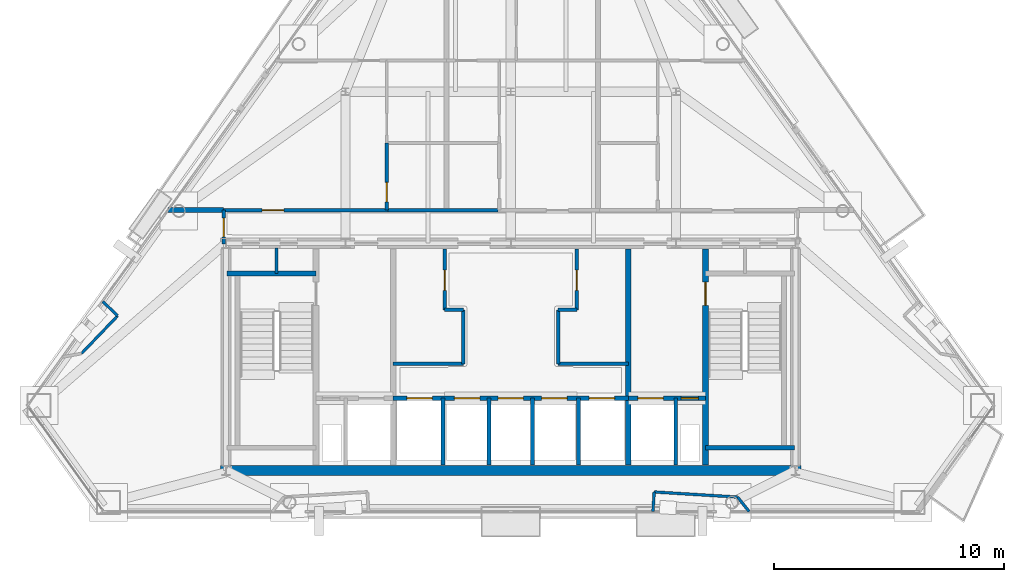
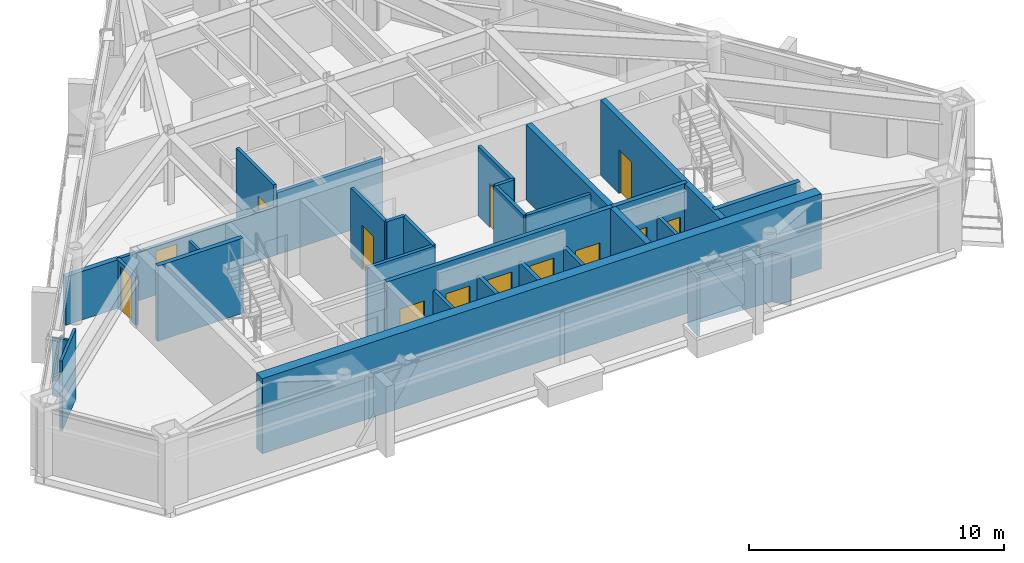
# One storey, part 7 of 11: 31 walls, 13 doors, 13 openings.
"""IFC4 building model written with IfcOpenShell, lengths in metres."""

from ifc_helpers import new_model, si_unit, direction, frame, frame_2d, origin, place, context, subcontext, project, spatial, rectangle, extrude, material, layer, layer_set, type_object, element, fill, save


model = new_model("IFC4")

# Units and contexts
model_context = context("Model", 3, precision=1e-05, world=origin(), true_north=direction((0.0, 1.0)))
body_context = subcontext(model_context, "Body", "Model", "MODEL_VIEW")
ifc_project = project(units=[si_unit("LENGTHUNIT", "METRE"), si_unit("AREAUNIT", "SQUARE_METRE"), si_unit("VOLUMEUNIT", "CUBIC_METRE"), si_unit("PLANEANGLEUNIT", "RADIAN"), si_unit("MASSUNIT", "GRAM", prefix="KILO")], contexts=[model_context])

# Site, building, storey
site_placement = place(None, origin())
site = spatial("IfcSite", under=ifc_project, at=site_placement, CompositionType="ELEMENT")
building_placement = place(site_placement, origin())
building = spatial("IfcBuilding", under=site, at=building_placement, Name="Talgorran Terracotta Tower", CompositionType="ELEMENT")
storey_placement = place(building_placement, frame((0.0, 0.0, 214.5)))
storey = spatial("IfcBuildingStorey", under=building, at=storey_placement, Name="L56", CompositionType="ELEMENT", Elevation=214.5)

# Walls
ifc_material_1 = material(Name="Concrete C50/60", Category="concrete")
ifc_layer_1 = layer(ifc_material_1, 0.199951171875, Name="WT_CORE_200")
ifc_layer_set_1 = layer_set([ifc_layer_1], Name="Concrete C50/60")
wall_type_1 = type_object("IfcWallType", Name="WT_CORE_200", PredefinedType="SOLIDWALL", material=ifc_layer_set_1)
for number, where, z_axis, x_axis, name in (
    (1, (-12.35009765625, -5.52001953125, 0.0), (0.0, 0.0, 1.0), (1.0, 0.0, 0.0), "WL-L56-CW-ST1-N"),
    (2, (8.47998046875, -13.10009765625, 0.0), (0.0, 0.0, 1.0), (1.0, 0.0, 0.0), "WL-L56-CW-ST2-S"),
):
    element("IfcWall", number, at=place(storey_placement, frame(where, z_axis=z_axis, x_axis=x_axis)), inside=storey, type_object=wall_type_1, Name=name, PredefinedType="SOLIDWALL", context=body_context, shape_type="SweptSolid", body=[
        extrude(rectangle(XDim=3.8701171875, YDim=0.199951171875, at=frame_2d((1.93505859375, 0.0))), origin(), (0.0, 0.0, 1.0), 3.60009765625),
    ])

# Wall, openings, doors
wall_1_placement = place(storey_placement, frame((-5.1201171875, -10.949951171875, 0.0), z_axis=(0.0, 0.0, 1.0), x_axis=(1.0, 0.0, 0.0)))
wall_1 = element("IfcWall", 3, at=wall_1_placement, inside=storey, type_object=wall_type_1, Name="WL-L56-CW-H-SBC", PredefinedType="SOLIDWALL", context=body_context, shape_type="SweptSolid", body=[
    extrude(rectangle(XDim=10.240234375, YDim=0.199951171875, at=frame_2d((5.1201171875, 0.0))), origin(), (0.0, 0.0, 1.0), 3.60009765625),
])
opening_1_placement = place(wall_1_placement, frame((0.60009765625, 0.0, 0.0)))
opening_1 = element("IfcOpeningElement", 4, at=opening_1_placement, cuts=wall_1, Name="Opening LD-OB1", PredefinedType="OPENING", context=body_context, shape_type="SweptSolid", body=[
    extrude(rectangle(XDim=1.10609765625, YDim=2.10409765625, at=frame_2d((0.550048828125, 1.052001953125))), frame((0.0, 0.10986328125, 0.0), z_axis=(0.0, -1.0, 0.0), x_axis=(1.0, 0.0, 0.0)), (0.0, 0.0, 1.0), 0.219970703125),
])
opening_2_placement = place(wall_1_placement, frame((2.669921875, 0.0, 0.0)))
opening_2 = element("IfcOpeningElement", 5, at=opening_2_placement, cuts=wall_1, Name="Opening LD-PLH1", PredefinedType="OPENING", context=body_context, shape_type="SweptSolid", body=[
    extrude(rectangle(XDim=1.10609765625, YDim=2.10409765625, at=frame_2d((0.550048828125, 1.052001953125))), frame((0.0, 0.10986328125, 0.0), z_axis=(0.0, -1.0, 0.0), x_axis=(1.0, 0.0, 0.0)), (0.0, 0.0, 1.0), 0.219970703125),
])
opening_3_placement = place(wall_1_placement, frame((4.570068359375, 0.0, 0.0)))
opening_3 = element("IfcOpeningElement", 6, at=opening_3_placement, cuts=wall_1, Name="Opening LD-PLH2", PredefinedType="OPENING", context=body_context, shape_type="SweptSolid", body=[
    extrude(rectangle(XDim=1.10609765625, YDim=2.10409765625, at=frame_2d((0.550048828125, 1.052001953125))), frame((0.0, 0.10986328125, 0.0), z_axis=(0.0, -1.0, 0.0), x_axis=(1.0, 0.0, 0.0)), (0.0, 0.0, 1.0), 0.219970703125),
])
opening_4_placement = place(wall_1_placement, frame((6.469970703125, 0.0, 0.0)))
opening_4 = element("IfcOpeningElement", 7, at=opening_4_placement, cuts=wall_1, Name="Opening LD-PLH3", PredefinedType="OPENING", context=body_context, shape_type="SweptSolid", body=[
    extrude(rectangle(XDim=1.10609765625, YDim=2.10409765625, at=frame_2d((0.550048828125, 1.052001953125))), frame((0.0, 0.10986328125, 0.0), z_axis=(0.0, -1.0, 0.0), x_axis=(1.0, 0.0, 0.0)), (0.0, 0.0, 1.0), 0.219970703125),
])
opening_5_placement = place(wall_1_placement, frame((8.5400390625, 0.0, 0.0)))
opening_5 = element("IfcOpeningElement", 8, at=opening_5_placement, cuts=wall_1, Name="Opening LD-SVL1", PredefinedType="OPENING", context=body_context, shape_type="SweptSolid", body=[
    extrude(rectangle(XDim=1.10609765625, YDim=2.10409765625, at=frame_2d((0.550048828125, 1.052001953125))), frame((0.0, 0.10986328125, 0.0), z_axis=(0.0, -1.0, 0.0), x_axis=(1.0, 0.0, 0.0)), (0.0, 0.0, 1.0), 0.219970703125),
])
ifc_material_2 = material(Name="Brushed Stainless Steel Grade 304", Category="steel")
door_type_1 = type_object("IfcDoorType", Name="DT_LIFT_LD1100", OperationType="DOUBLE_DOOR_SLIDING", PredefinedType="DOOR", material=ifc_material_2)
door_1_placement = place(opening_1_placement, origin())
door_1 = element("IfcDoor", 9, at=door_1_placement, inside=storey, type_object=door_type_1, Name="L56 Lift Landing Door LD-OB1", OperationType="DOUBLE_DOOR_SLIDING", OverallHeight=2.10009765625, OverallWidth=1.10009765625, PredefinedType="DOOR", context=body_context, shape_type="SweptSolid", body=[
    extrude(rectangle(XDim=1.10009765625, YDim=2.10009765625, at=frame_2d((0.550048828125, 1.050048828125))), frame((0.0, 0.02490234375, 0.0), z_axis=(0.0, -1.0, 0.0), x_axis=(1.0, 0.0, 0.0)), (0.0, 0.0, 1.0), 0.050048828125),
])
fill(opening_1, door_1)
door_2_placement = place(opening_2_placement, origin())
door_2 = element("IfcDoor", 10, at=door_2_placement, inside=storey, type_object=door_type_1, Name="L56 Lift Landing Door LD-PLH1", OperationType="DOUBLE_DOOR_SLIDING", OverallHeight=2.10009765625, OverallWidth=1.10009765625, PredefinedType="DOOR", context=body_context, shape_type="SweptSolid", body=[
    extrude(rectangle(XDim=1.10009765625, YDim=2.10009765625, at=frame_2d((0.550048828125, 1.050048828125))), frame((0.0, 0.02490234375, 0.0), z_axis=(0.0, -1.0, 0.0), x_axis=(1.0, 0.0, 0.0)), (0.0, 0.0, 1.0), 0.050048828125),
])
fill(opening_2, door_2)
door_3_placement = place(opening_3_placement, origin())
door_3 = element("IfcDoor", 11, at=door_3_placement, inside=storey, type_object=door_type_1, Name="L56 Lift Landing Door LD-PLH2", OperationType="DOUBLE_DOOR_SLIDING", OverallHeight=2.10009765625, OverallWidth=1.10009765625, PredefinedType="DOOR", context=body_context, shape_type="SweptSolid", body=[
    extrude(rectangle(XDim=1.10009765625, YDim=2.10009765625, at=frame_2d((0.550048828125, 1.050048828125))), frame((0.0, 0.02490234375, 0.0), z_axis=(0.0, -1.0, 0.0), x_axis=(1.0, 0.0, 0.0)), (0.0, 0.0, 1.0), 0.050048828125),
])
fill(opening_3, door_3)
door_4_placement = place(opening_4_placement, origin())
door_4 = element("IfcDoor", 12, at=door_4_placement, inside=storey, type_object=door_type_1, Name="L56 Lift Landing Door LD-PLH3", OperationType="DOUBLE_DOOR_SLIDING", OverallHeight=2.10009765625, OverallWidth=1.10009765625, PredefinedType="DOOR", context=body_context, shape_type="SweptSolid", body=[
    extrude(rectangle(XDim=1.10009765625, YDim=2.10009765625, at=frame_2d((0.550048828125, 1.050048828125))), frame((0.0, 0.02490234375, 0.0), z_axis=(0.0, -1.0, 0.0), x_axis=(1.0, 0.0, 0.0)), (0.0, 0.0, 1.0), 0.050048828125),
])
fill(opening_4, door_4)
door_5_placement = place(opening_5_placement, origin())
door_5 = element("IfcDoor", 13, at=door_5_placement, inside=storey, type_object=door_type_1, Name="L56 Lift Landing Door LD-SVL1", OperationType="DOUBLE_DOOR_SLIDING", OverallHeight=2.10009765625, OverallWidth=1.10009765625, PredefinedType="DOOR", context=body_context, shape_type="SweptSolid", body=[
    extrude(rectangle(XDim=1.10009765625, YDim=2.10009765625, at=frame_2d((0.550048828125, 1.050048828125))), frame((0.0, 0.02490234375, 0.0), z_axis=(0.0, -1.0, 0.0), x_axis=(1.0, 0.0, 0.0)), (0.0, 0.0, 1.0), 0.050048828125),
])
fill(opening_5, door_5)

wall_2_placement = place(storey_placement, frame((5.1201171875, -10.949951171875, 0.0), z_axis=(0.0, 0.0, 1.0), x_axis=(1.0, 0.0, 0.0)))
wall_2 = element("IfcWall", 14, at=wall_2_placement, inside=storey, type_object=wall_type_1, Name="WL-L56-CW-H-SBE", PredefinedType="SOLIDWALL", context=body_context, shape_type="SweptSolid", body=[
    extrude(rectangle(XDim=3.35986328125, YDim=0.199951171875, at=frame_2d((1.679931640625, 0.0))), origin(), (0.0, 0.0, 1.0), 3.60009765625),
])
opening_6_placement = place(wall_2_placement, frame((0.419921875, 0.0, 0.0)))
opening_6 = element("IfcOpeningElement", 15, at=opening_6_placement, cuts=wall_2, Name="Opening LD-FFL2", PredefinedType="OPENING", context=body_context, shape_type="SweptSolid", body=[
    extrude(rectangle(XDim=1.10609765625, YDim=2.10409765625, at=frame_2d((0.550048828125, 1.052001953125))), frame((0.0, 0.10986328125, 0.0), z_axis=(0.0, -1.0, 0.0), x_axis=(1.0, 0.0, 0.0)), (0.0, 0.0, 1.0), 0.219970703125),
])
opening_7_placement = place(wall_2_placement, frame((2.300048828125, 0.0, 0.0)))
opening_7 = element("IfcOpeningElement", 16, at=opening_7_placement, cuts=wall_2, Name="Opening DR-RSE", PredefinedType="OPENING", context=body_context, shape_type="SweptSolid", body=[
    extrude(rectangle(XDim=0.756, YDim=2.054048828125, at=frame_2d((0.375, 1.027099609375))), frame((0.0, 0.10986328125, 0.0), z_axis=(0.0, -1.0, 0.0), x_axis=(1.0, 0.0, 0.0)), (0.0, 0.0, 1.0), 0.219970703125),
])
door_6_placement = place(opening_6_placement, origin())
door_6 = element("IfcDoor", 17, at=door_6_placement, inside=storey, type_object=door_type_1, Name="L56 Lift Landing Door LD-FFL2", OperationType="DOUBLE_DOOR_SLIDING", OverallHeight=2.10009765625, OverallWidth=1.10009765625, PredefinedType="DOOR", context=body_context, shape_type="SweptSolid", body=[
    extrude(rectangle(XDim=1.10009765625, YDim=2.10009765625, at=frame_2d((0.550048828125, 1.050048828125))), frame((0.0, 0.02490234375, 0.0), z_axis=(0.0, -1.0, 0.0), x_axis=(1.0, 0.0, 0.0)), (0.0, 0.0, 1.0), 0.050048828125),
])
fill(opening_6, door_6)
ifc_material_3 = material(Name="Fire-Rated Pressed Steel", Category="steel")
door_type_2 = type_object("IfcDoorType", Name="DT_RISER_750", OperationType="NOTDEFINED", PredefinedType="DOOR", material=ifc_material_3)
door_7_placement = place(opening_7_placement, origin())
door_7 = element("IfcDoor", 18, at=door_7_placement, inside=storey, type_object=door_type_2, Name="DR-RSE", OperationType="SINGLE_SWING_RIGHT", OverallHeight=2.050048828125, OverallWidth=0.75, PredefinedType="DOOR", context=body_context, shape_type="SweptSolid", body=[
    extrude(rectangle(XDim=0.75, YDim=2.050048828125, at=frame_2d((0.375, 1.02490234375))), frame((0.0, 0.02490234375, 0.0), z_axis=(0.0, -1.0, 0.0), x_axis=(1.0, 0.0, 0.0)), (0.0, 0.0, 1.0), 0.050048828125),
])
fill(opening_7, door_7)

# Wall, opening, door
ifc_layer_2 = layer(ifc_material_1, 0.25, Name="WT_CORE_250")
ifc_layer_set_2 = layer_set([ifc_layer_2], Name="Concrete C50/60")
wall_type_2 = type_object("IfcWallType", Name="WT_CORE_250", PredefinedType="SHEAR", material=ifc_layer_set_2)
wall_3_placement = place(storey_placement, frame((8.47998046875, -13.85009765625, 0.0), z_axis=(0.0, 0.0, 1.0), x_axis=(0.0, 1.0, 0.0)))
wall_3 = element("IfcWall", 19, at=wall_3_placement, inside=storey, type_object=wall_type_2, Name="WL-L56-CW-V-E1", PredefinedType="SHEAR", context=body_context, shape_type="SweptSolid", body=[
    extrude(rectangle(XDim=9.400146484375, YDim=0.25, at=frame_2d((4.7001953125, 0.0))), origin(), (0.0, 0.0, 1.0), 3.60009765625),
])
opening_8_placement = place(wall_3_placement, frame((6.949951171875, 0.0, 0.0)))
opening_8 = element("IfcOpeningElement", 20, at=opening_8_placement, cuts=wall_3, Name="Opening DR-ST02", PredefinedType="OPENING", context=body_context, shape_type="SweptSolid", body=[
    extrude(rectangle(XDim=1.006, YDim=2.10409765625, at=frame_2d((0.5, 1.052001953125))), frame((0.0, 0.135009765625, 0.0), z_axis=(0.0, -1.0, 0.0), x_axis=(1.0, 0.0, 0.0)), (0.0, 0.0, 1.0), 0.27001953125),
])
door_type_3 = type_object("IfcDoorType", Name="DT_FIRE_1000", OperationType="NOTDEFINED", PredefinedType="DOOR", material=ifc_material_3)
door_8_placement = place(opening_8_placement, origin())
door_8 = element("IfcDoor", 21, at=door_8_placement, inside=storey, type_object=door_type_3, Name="DR-ST02", OperationType="SINGLE_SWING_RIGHT", OverallHeight=2.10009765625, OverallWidth=1.0, PredefinedType="DOOR", context=body_context, shape_type="SweptSolid", body=[
    extrude(rectangle(XDim=1.0, YDim=2.10009765625, at=frame_2d((0.5, 1.050048828125))), frame((0.0, 0.02490234375, 0.0), z_axis=(0.0, -1.0, 0.0), x_axis=(1.0, 0.0, 0.0)), (0.0, 0.0, 1.0), 0.050048828125),
])
fill(opening_8, door_8)

# Walls
wall_4_placement = place(storey_placement, frame((5.1201171875, -13.85009765625, 0.0), z_axis=(0.0, 0.0, 1.0), x_axis=(0.0, 1.0, 0.0)))
element("IfcWall", 22, at=wall_4_placement, inside=storey, type_object=wall_type_2, Name="WL-L56-CW-V-E2", PredefinedType="SHEAR", context=body_context, shape_type="SweptSolid", body=[
    extrude(rectangle(XDim=9.400146484375, YDim=0.25, at=frame_2d((4.7001953125, 0.0))), origin(), (0.0, 0.0, 1.0), 3.60009765625),
])
ifc_material_4 = material(Name="Concrete C65/80", Category="concrete")
ifc_layer_3 = layer(ifc_material_4, 0.449951171875, Name="WT_CORE_EXT")
ifc_layer_set_3 = layer_set([ifc_layer_3], Name="Concrete C65/80")
wall_type_3 = type_object("IfcWallType", Name="WT_CORE_EXT", PredefinedType="SHEAR", material=ifc_layer_set_3)
wall_5_placement = place(storey_placement, frame((-12.64990234375, -14.10009765625, 0.0), z_axis=(0.0, 0.0, 1.0), x_axis=(1.0, 0.0, 0.0)))
element("IfcWall", 23, at=wall_5_placement, inside=storey, type_object=wall_type_3, Name="WL-L56-CW-OUT-S", PredefinedType="SHEAR", context=body_context, shape_type="SweptSolid", body=[
    extrude(rectangle(XDim=25.2998046875, YDim=0.449951171875, at=frame_2d((12.64990234375, 0.0))), origin(), (0.0, 0.0, 1.0), 3.60009765625),
])
ifc_material_5 = material(Name="Fire-Rated Steel Stud Plasterboard", Category="steel")
ifc_layer_4 = layer(ifc_material_5, 0.14990234375, Name="WT_FIRE_150")
ifc_layer_set_4 = layer_set([ifc_layer_4], Name="Fire-Rated Steel Stud Plasterboard")
wall_type_4 = type_object("IfcWallType", Name="WT_FIRE_150", PredefinedType="PARTITIONING", material=ifc_layer_set_4)
wall_6_placement = place(storey_placement, frame((-5.1201171875, -9.449951171875, 0.0), z_axis=(0.0, 0.0, 1.0), x_axis=(1.0, 0.0, 0.0)))
element("IfcWall", 24, at=wall_6_placement, inside=storey, type_object=wall_type_4, Name="WL-L56-CW-H-W4N", PredefinedType="PARTITIONING", context=body_context, shape_type="SweptSolid", body=[
    extrude(rectangle(XDim=3.06005859375, YDim=0.14990234375, at=frame_2d((1.530029296875, 0.0))), origin(), (0.0, 0.0, 1.0), 3.344970703125),
])
wall_7_placement = place(storey_placement, frame((-2.06005859375, -9.449951171875, 0.0), z_axis=(0.0, 0.0, 1.0), x_axis=(0.0, 1.0, 0.0)))
element("IfcWall", 25, at=wall_7_placement, inside=storey, type_object=wall_type_4, Name="WL-L56-CW-V-W3S2", PredefinedType="PARTITIONING", context=body_context, shape_type="SweptSolid", body=[
    extrude(rectangle(XDim=2.349853515625, YDim=0.14990234375, at=frame_2d((1.1748046875, 0.0))), origin(), (0.0, 0.0, 1.0), 3.344970703125),
])
wall_8_placement = place(storey_placement, frame((-2.8798828125, -7.10009765625, 0.0), z_axis=(0.0, 0.0, 1.0), x_axis=(1.0, 0.0, 0.0)))
element("IfcWall", 26, at=wall_8_placement, inside=storey, type_object=wall_type_4, Name="WL-L56-CW-H-W3M2", PredefinedType="PARTITIONING", context=body_context, shape_type="SweptSolid", body=[
    extrude(rectangle(XDim=0.81982421875, YDim=0.14990234375, at=frame_2d((0.409912109375, 0.0))), origin(), (0.0, 0.0, 1.0), 3.344970703125),
])

# Wall, opening, door
wall_9_placement = place(storey_placement, frame((-2.8798828125, -7.10009765625, 0.0), z_axis=(0.0, 0.0, 1.0), x_axis=(0.0, 1.0, 0.0)))
wall_9 = element("IfcWall", 27, at=wall_9_placement, inside=storey, type_object=wall_type_4, Name="WL-L56-CW-V-W3N", PredefinedType="PARTITIONING", context=body_context, shape_type="SweptSolid", body=[
    extrude(rectangle(XDim=2.650146484375, YDim=0.14990234375, at=frame_2d((1.3251953125, 0.0))), origin(), (0.0, 0.0, 1.0), 3.344970703125),
])
opening_9_placement = place(wall_9_placement, frame((0.85009765625, 0.0, 0.0)))
opening_9 = element("IfcOpeningElement", 28, at=opening_9_placement, cuts=wall_9, Name="Opening DR-FRPLL-B", PredefinedType="OPENING", context=body_context, shape_type="SweptSolid", body=[
    extrude(rectangle(XDim=0.8858828125, YDim=2.10409765625, at=frame_2d((0.43994140625, 1.052001953125))), frame((0.0, 0.0849609375, 0.0), z_axis=(0.0, -1.0, 0.0), x_axis=(1.0, 0.0, 0.0)), (0.0, 0.0, 1.0), 0.169921875),
])
ifc_material_6 = material(Name="Solid-Core Painted Timber", Category="wood")
door_type_4 = type_object("IfcDoorType", Name="DT_INT_880", OperationType="NOTDEFINED", PredefinedType="DOOR", material=ifc_material_6)
door_9_placement = place(opening_9_placement, origin())
door_9 = element("IfcDoor", 29, at=door_9_placement, inside=storey, type_object=door_type_4, Name="DR-FRPLL-B", OperationType="SINGLE_SWING_LEFT", OverallHeight=2.10009765625, OverallWidth=0.8798828125, PredefinedType="DOOR", context=body_context, shape_type="SweptSolid", body=[
    extrude(rectangle(XDim=0.8798828125, YDim=2.10009765625, at=frame_2d((0.43994140625, 1.050048828125))), frame((0.0, 0.02490234375, 0.0), z_axis=(0.0, -1.0, 0.0), x_axis=(1.0, 0.0, 0.0)), (0.0, 0.0, 1.0), 0.050048828125),
])
fill(opening_9, door_9)

# Walls
wall_10_placement = place(storey_placement, frame((2.06005859375, -9.449951171875, 0.0), z_axis=(0.0, 0.0, 1.0), x_axis=(1.0, 0.0, 0.0)))
element("IfcWall", 30, at=wall_10_placement, inside=storey, type_object=wall_type_4, Name="WL-L56-CW-H-E4N", PredefinedType="PARTITIONING", context=body_context, shape_type="SweptSolid", body=[
    extrude(rectangle(XDim=3.06005859375, YDim=0.14990234375, at=frame_2d((1.530029296875, 0.0))), origin(), (0.0, 0.0, 1.0), 3.344970703125),
])
wall_11_placement = place(storey_placement, frame((2.06005859375, -9.449951171875, 0.0), z_axis=(0.0, 0.0, 1.0), x_axis=(0.0, 1.0, 0.0)))
element("IfcWall", 31, at=wall_11_placement, inside=storey, type_object=wall_type_4, Name="WL-L56-CW-V-E3S2", PredefinedType="PARTITIONING", context=body_context, shape_type="SweptSolid", body=[
    extrude(rectangle(XDim=2.349853515625, YDim=0.14990234375, at=frame_2d((1.1748046875, 0.0))), origin(), (0.0, 0.0, 1.0), 3.344970703125),
])
wall_12_placement = place(storey_placement, frame((2.06005859375, -7.10009765625, 0.0), z_axis=(0.0, 0.0, 1.0), x_axis=(1.0, 0.0, 0.0)))
element("IfcWall", 32, at=wall_12_placement, inside=storey, type_object=wall_type_4, Name="WL-L56-CW-H-E3M2", PredefinedType="PARTITIONING", context=body_context, shape_type="SweptSolid", body=[
    extrude(rectangle(XDim=0.81982421875, YDim=0.14990234375, at=frame_2d((0.409912109375, 0.0))), origin(), (0.0, 0.0, 1.0), 3.344970703125),
])

# Wall, opening, door
wall_13_placement = place(storey_placement, frame((2.8798828125, -7.10009765625, 0.0), z_axis=(0.0, 0.0, 1.0), x_axis=(0.0, 1.0, 0.0)))
wall_13 = element("IfcWall", 33, at=wall_13_placement, inside=storey, type_object=wall_type_4, Name="WL-L56-CW-V-E3N", PredefinedType="PARTITIONING", context=body_context, shape_type="SweptSolid", body=[
    extrude(rectangle(XDim=2.650146484375, YDim=0.14990234375, at=frame_2d((1.3251953125, 0.0))), origin(), (0.0, 0.0, 1.0), 3.344970703125),
])
opening_10_placement = place(wall_13_placement, frame((0.85009765625, 0.0, 0.0)))
opening_10 = element("IfcOpeningElement", 34, at=opening_10_placement, cuts=wall_13, Name="Opening DR-FRPLM-B", PredefinedType="OPENING", context=body_context, shape_type="SweptSolid", body=[
    extrude(rectangle(XDim=0.8858828125, YDim=2.10409765625, at=frame_2d((0.43994140625, 1.052001953125))), frame((0.0, 0.0849609375, 0.0), z_axis=(0.0, -1.0, 0.0), x_axis=(1.0, 0.0, 0.0)), (0.0, 0.0, 1.0), 0.169921875),
])
door_10_placement = place(opening_10_placement, origin())
door_10 = element("IfcDoor", 35, at=door_10_placement, inside=storey, type_object=door_type_4, Name="DR-FRPLM-B", OperationType="SINGLE_SWING_RIGHT", OverallHeight=2.10009765625, OverallWidth=0.8798828125, PredefinedType="DOOR", context=body_context, shape_type="SweptSolid", body=[
    extrude(rectangle(XDim=0.8798828125, YDim=2.10009765625, at=frame_2d((0.43994140625, 1.050048828125))), frame((0.0, 0.02490234375, 0.0), z_axis=(0.0, -1.0, 0.0), x_axis=(1.0, 0.0, 0.0)), (0.0, 0.0, 1.0), 0.050048828125),
])
fill(opening_10, door_10)

wall_14_placement = place(storey_placement, frame((-12.5, -2.760009765625, 0.0), z_axis=(0.0, 0.0, 1.0), x_axis=(1.0, 0.0, 0.0)))
wall_14 = element("IfcWall", 36, at=wall_14_placement, inside=storey, type_object=wall_type_4, Name="WL-L56-W-L56-R04", PredefinedType="PARTITIONING", context=body_context, shape_type="SweptSolid", body=[
    extrude(rectangle(XDim=7.159912109375, YDim=0.14990234375, at=frame_2d((3.580078125, 0.0))), origin(), (0.0, 0.0, 1.0), 2.320068359375),
])
opening_11_placement = place(wall_14_placement, frame((1.672119140625, 0.0, 0.0)))
opening_11 = element("IfcOpeningElement", 37, at=opening_11_placement, cuts=wall_14, Name="Opening DR-L56-R05", PredefinedType="OPENING", context=body_context, shape_type="SweptSolid", body=[
    extrude(rectangle(XDim=0.955951171875, YDim=2.10409765625, at=frame_2d((0.47509765625, 1.052001953125))), frame((0.0, 0.0849609375, 0.0), z_axis=(0.0, -1.0, 0.0), x_axis=(1.0, 0.0, 0.0)), (0.0, 0.0, 1.0), 0.169921875),
])
ifc_material_7 = material(Name="Fire-Rated Timber Core", Category="wood")
door_type_5 = type_object("IfcDoorType", Name="DT_FIRE_950", OperationType="NOTDEFINED", PredefinedType="DOOR", material=ifc_material_7)
door_11_placement = place(opening_11_placement, origin())
door_11 = element("IfcDoor", 38, at=door_11_placement, inside=storey, type_object=door_type_5, Name="DR-L56-R05", OperationType="SINGLE_SWING_LEFT", OverallHeight=2.10009765625, OverallWidth=0.949951171875, PredefinedType="DOOR", context=body_context, shape_type="SweptSolid", body=[
    extrude(rectangle(XDim=0.949951171875, YDim=2.10009765625, at=frame_2d((0.47509765625, 1.050048828125))), frame((0.0, 0.02490234375, 0.0), z_axis=(0.0, -1.0, 0.0), x_axis=(1.0, 0.0, 0.0)), (0.0, 0.0, 1.0), 0.050048828125),
])
fill(opening_11, door_11)

# Wall
wall_15_placement = place(storey_placement, frame((-5.337890625, -2.760009765625, 0.0), z_axis=(0.0, 0.0, 1.0), x_axis=(1.0, 0.0, 0.0)))
element("IfcWall", 39, at=wall_15_placement, inside=storey, type_object=wall_type_4, Name="WL-L56-W-L56-R03", PredefinedType="PARTITIONING", context=body_context, shape_type="SweptSolid", body=[
    extrude(rectangle(XDim=4.77587890625, YDim=0.14990234375, at=frame_2d((2.387939453125, 0.0))), origin(), (0.0, 0.0, 1.0), 2.96435546875),
])

# Wall, opening, door
wall_16_placement = place(storey_placement, frame((-12.5, -4.239990234375, 0.0), z_axis=(0.0, 0.0, 1.0), x_axis=(0.0, 1.0, 0.0)))
wall_16 = element("IfcWall", 40, at=wall_16_placement, inside=storey, type_object=wall_type_4, Name="WL-L56-W-L56-R01", PredefinedType="PARTITIONING", context=body_context, shape_type="SweptSolid", body=[
    extrude(rectangle(XDim=1.47998046875, YDim=0.14990234375, at=frame_2d((0.739990234375, 0.0))), origin(), (0.0, 0.0, 1.0), 2.320068359375),
])
opening_12_placement = place(wall_16_placement, frame((0.31494140625, 0.0, 0.0)))
opening_12 = element("IfcOpeningElement", 41, at=opening_12_placement, cuts=wall_16, Name="Opening DR-L56-R01", PredefinedType="OPENING", context=body_context, shape_type="SweptSolid", body=[
    extrude(rectangle(XDim=0.826068359375, YDim=2.10409765625, at=frame_2d((0.41015625, 1.052001953125))), frame((0.0, 0.0849609375, 0.0), z_axis=(0.0, -1.0, 0.0), x_axis=(1.0, 0.0, 0.0)), (0.0, 0.0, 1.0), 0.169921875),
])
ifc_material_8 = material(Name="Moisture-Resistant Solid Timber", Category="wood")
door_type_6 = type_object("IfcDoorType", Name="DT_INT_820", OperationType="NOTDEFINED", PredefinedType="DOOR", material=ifc_material_8)
door_12_placement = place(opening_12_placement, origin())
door_12 = element("IfcDoor", 42, at=door_12_placement, inside=storey, type_object=door_type_6, Name="DR-L56-R01", OperationType="SINGLE_SWING_LEFT", OverallHeight=2.10009765625, OverallWidth=0.820068359375, PredefinedType="DOOR", context=body_context, shape_type="SweptSolid", body=[
    extrude(rectangle(XDim=0.820068359375, YDim=2.10009765625, at=frame_2d((0.41015625, 1.050048828125))), frame((0.0, 0.02490234375, 0.0), z_axis=(0.0, -1.0, 0.0), x_axis=(1.0, 0.0, 0.0)), (0.0, 0.0, 1.0), 0.050048828125),
])
fill(opening_12, door_12)

# Walls
ifc_material_9 = material(Name="Acoustic Masonry and Plasterboard", Category="masonry")
ifc_layer_5 = layer(ifc_material_9, 0.219970703125, Name="WT_PARTY_220")
ifc_layer_set_5 = layer_set([ifc_layer_5], Name="Acoustic Masonry and Plasterboard")
wall_type_5 = type_object("IfcWallType", Name="WT_PARTY_220", PredefinedType="PARTITIONING", material=ifc_layer_set_5)
wall_17_placement = place(storey_placement, frame((-14.926025390625, -2.760009765625, 0.0), z_axis=(0.0, 0.0, 1.0), x_axis=(1.0, 0.0, 0.0)))
element("IfcWall", 43, at=wall_17_placement, inside=storey, type_object=wall_type_5, Name="WL-L56-W-L56-R09", PredefinedType="PARTITIONING", context=body_context, shape_type="SweptSolid", body=[
    extrude(rectangle(XDim=2.426025390625, YDim=0.219970703125, at=frame_2d((1.212890625, 0.0))), origin(), (0.0, 0.0, 1.0), 2.320068359375),
])
ifc_material_10 = material(Name="Insulated Steel Stud Plasterboard", Category="steel")
ifc_layer_6 = layer(ifc_material_10, 0.1201171875, Name="WT_PART_120")
ifc_layer_set_6 = layer_set([ifc_layer_6], Name="Insulated Steel Stud Plasterboard")
wall_type_6 = type_object("IfcWallType", Name="WT_PART_120", PredefinedType="PARTITIONING", material=ifc_layer_set_6)
wall_18_placement = place(storey_placement, frame((-10.199951171875, -5.52001953125, 0.0), z_axis=(0.0, 0.0, 1.0), x_axis=(0.0, 1.0, 0.0)))
element("IfcWall", 44, at=wall_18_placement, inside=storey, type_object=wall_type_6, Name="WL-L56-CW-CSW-DIV", PredefinedType="PARTITIONING", context=body_context, shape_type="SweptSolid", body=[
    extrude(rectangle(XDim=1.1201171875, YDim=0.1201171875, at=frame_2d((0.56005859375, 0.0))), origin(), (0.0, 0.0, 1.0), 3.344970703125),
])
wall_19_placement = place(storey_placement, frame((6.24609375, -15.0341796875, 0.0), z_axis=(0.0, 0.0, 1.0), x_axis=(0.998123679848, -0.061230055748, 0.0)))
element("IfcWall", 45, at=wall_19_placement, inside=storey, type_object=wall_type_6, Name="WL-L56-BW-L56-04", PredefinedType="PARTITIONING", context=body_context, shape_type="SweptSolid", body=[
    extrude(rectangle(XDim=3.640380859375, YDim=0.1201171875, at=frame_2d((1.8203125, 0.0))), origin(), (0.0, 0.0, 1.0), 2.320068359375),
])
wall_20_placement = place(storey_placement, frame((-17.1201171875, -7.36181640625, 0.0), z_axis=(0.0, 0.0, 1.0), x_axis=(-0.691975296368, -0.721921179366, 0.0)))
element("IfcWall", 46, at=wall_20_placement, inside=storey, type_object=wall_type_6, Name="WL-L56-BW-L56-08", PredefinedType="PARTITIONING", context=body_context, shape_type="SweptSolid", body=[
    extrude(rectangle(XDim=2.274658203125, YDim=0.1201171875, at=frame_2d((1.13720703125, 0.0))), origin(), (0.0, 0.0, 1.0), 3.344970703125),
])
wall_21_placement = place(storey_placement, frame((-17.771484375, -6.737060546875, 0.0), z_axis=(0.0, 0.0, 1.0), x_axis=(0.721695363455, -0.692210807751, 0.0)))
element("IfcWall", 47, at=wall_21_placement, inside=storey, type_object=wall_type_6, Name="WL-L56-BW-L56-07", PredefinedType="PARTITIONING", context=body_context, shape_type="SweptSolid", body=[
    extrude(rectangle(XDim=0.902587890625, YDim=0.1201171875, at=frame_2d((0.451171875, 0.0))), origin(), (0.0, 0.0, 1.0), 2.787109375),
])
wall_22_placement = place(storey_placement, frame((6.19384765625, -15.88671875, 0.0), z_axis=(0.0, 0.0, 1.0), x_axis=(0.06116817852, 0.998127473791, 0.0)))
element("IfcWall", 48, at=wall_22_placement, inside=storey, type_object=wall_type_6, Name="WL-L56-BW-L56-06", PredefinedType="PARTITIONING", context=body_context, shape_type="SweptSolid", body=[
    extrude(rectangle(XDim=0.854248046875, YDim=0.1201171875, at=frame_2d((0.42724609375, 0.0))), origin(), (0.0, 0.0, 1.0), 2.787109375),
])
wall_23_placement = place(storey_placement, frame((9.879638671875, -15.257080078125, 0.0), z_axis=(0.0, 0.0, 1.0), x_axis=(0.623177622631, -0.782080335165, 0.0)))
element("IfcWall", 49, at=wall_23_placement, inside=storey, type_object=wall_type_6, Name="WL-L56-BW-L56-05", PredefinedType="PARTITIONING", context=body_context, shape_type="SweptSolid", body=[
    extrude(rectangle(XDim=0.80517578125, YDim=0.1201171875, at=frame_2d((0.402587890625, 0.0))), origin(), (0.0, 0.0, 1.0), 2.320068359375),
])

# Wall, opening, door
ifc_material_11 = material(Name="Moisture-Resistant Stud Wall")
ifc_layer_7 = layer(ifc_material_11, 0.135009765625, Name="WT_PART_135")
ifc_layer_set_7 = layer_set([ifc_layer_7], Name="Moisture-Resistant Stud Wall")
wall_type_7 = type_object("IfcWallType", Name="WT_PART_135", PredefinedType="PARTITIONING", material=ifc_layer_set_7)
wall_24_placement = place(storey_placement, frame((-5.39990234375, -2.760009765625, 0.0), z_axis=(0.0, 0.0, 1.0), x_axis=(0.0, 1.0, 0.0)))
wall_24 = element("IfcWall", 50, at=wall_24_placement, inside=storey, type_object=wall_type_7, Name="WL-L56-W-L56-R12", PredefinedType="PARTITIONING", context=body_context, shape_type="SweptSolid", body=[
    extrude(rectangle(XDim=2.919921875, YDim=0.135009765625, at=frame_2d((1.4599609375, 0.0))), origin(), (0.0, 0.0, 1.0), 3.344970703125),
])
opening_13_placement = place(wall_24_placement, frame((0.358642578125, 0.0, 0.0)))
opening_13 = element("IfcOpeningElement", 51, at=opening_13_placement, cuts=wall_24, Name="Opening DR-L56-R03", PredefinedType="OPENING", context=body_context, shape_type="SweptSolid", body=[
    extrude(rectangle(XDim=0.85609765625, YDim=2.10409765625, at=frame_2d((0.425048828125, 1.052001953125))), frame((0.0, 0.07763671875, 0.0), z_axis=(0.0, -1.0, 0.0), x_axis=(1.0, 0.0, 0.0)), (0.0, 0.0, 1.0), 0.155029296875),
])
door_type_7 = type_object("IfcDoorType", Name="DT_INT_850", OperationType="NOTDEFINED", PredefinedType="DOOR", material=ifc_material_8)
door_13_placement = place(opening_13_placement, origin())
door_13 = element("IfcDoor", 52, at=door_13_placement, inside=storey, type_object=door_type_7, Name="DR-L56-R03", OperationType="SINGLE_SWING_LEFT", OverallHeight=2.10009765625, OverallWidth=0.85009765625, PredefinedType="DOOR", context=body_context, shape_type="SweptSolid", body=[
    extrude(rectangle(XDim=0.85009765625, YDim=2.10009765625, at=frame_2d((0.425048828125, 1.050048828125))), frame((0.0, 0.02490234375, 0.0), z_axis=(0.0, -1.0, 0.0), x_axis=(1.0, 0.0, 0.0)), (0.0, 0.0, 1.0), 0.050048828125),
])
fill(opening_13, door_13)

# Walls
ifc_material_12 = material(Name="Fire-Rated Shaftwall")
ifc_layer_8 = layer(ifc_material_12, 0.159912109375, Name="WT_PART_150")
ifc_layer_set_8 = layer_set([ifc_layer_8], Name="Fire-Rated Shaftwall")
wall_type_8 = type_object("IfcWallType", Name="WT_PART_150", PredefinedType="PARTITIONING", material=ifc_layer_set_8)
for number, where, z_axis, x_axis, name in (
    (53, (7.179931640625, -13.85009765625, 0.0), (0.0, 0.0, 1.0), (0.0, 1.0, 0.0), "WL-L56-CW-RSE"),
    (54, (-2.949951171875, -13.85009765625, 0.0), (0.0, 0.0, 1.0), (0.0, 1.0, 0.0), "WL-L56-CW-OB-E"),
    (55, (2.949951171875, -13.85009765625, 0.0), (0.0, 0.0, 1.0), (0.0, 1.0, 0.0), "WL-L56-CW-SV-W"),
    (56, (-0.949951171875, -13.85009765625, 0.0), (0.0, 0.0, 1.0), (0.0, 1.0, 0.0), "WL-L56-CW-PLH-D1"),
    (57, (0.949951171875, -13.85009765625, 0.0), (0.0, 0.0, 1.0), (0.0, 1.0, 0.0), "WL-L56-CW-PLH-D2"),
):
    element("IfcWall", number, at=place(storey_placement, frame(where, z_axis=z_axis, x_axis=x_axis)), inside=storey, type_object=wall_type_8, Name=name, PredefinedType="PARTITIONING", context=body_context, shape_type="SweptSolid", body=[
        extrude(rectangle(XDim=2.900146484375, YDim=0.159912109375, at=frame_2d((1.4501953125, 0.0))), origin(), (0.0, 0.0, 1.0), 2.469970703125),
    ])

save(model, "model.ifc")
